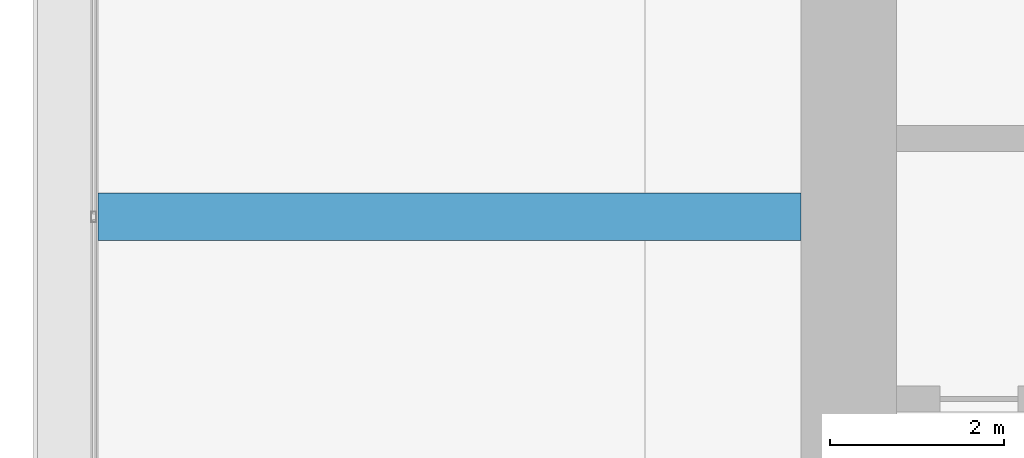
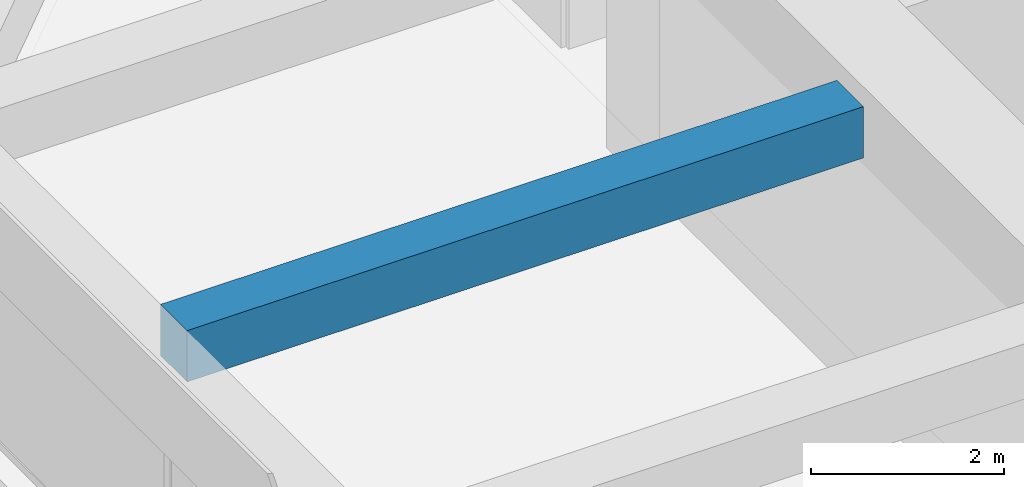
# One storey, part 17 of 45: 1 beam.
"""IFC4 building model written with IfcOpenShell, lengths in metres."""

from ifc_helpers import new_model, si_unit, direction, frame, origin, origin_2d, place, context, subcontext, project, spatial, rectangle, extrude, material, material_profile, profile_set, type_object, element, save


model = new_model("IFC4")

# Units and contexts
model_context = context("Model", 3, precision=1e-05, world=origin(), true_north=direction((0.0, 1.0)))
body_context = subcontext(model_context, "Body", "Model", "MODEL_VIEW")
ifc_project = project(units=[si_unit("LENGTHUNIT", "METRE"), si_unit("AREAUNIT", "SQUARE_METRE"), si_unit("VOLUMEUNIT", "CUBIC_METRE"), si_unit("PLANEANGLEUNIT", "RADIAN"), si_unit("MASSUNIT", "GRAM", prefix="KILO")], contexts=[model_context])

# Site, building, storey
site_placement = place(None, origin())
site = spatial("IfcSite", under=ifc_project, at=site_placement, CompositionType="ELEMENT")
building_placement = place(site_placement, origin())
building = spatial("IfcBuilding", under=site, at=building_placement, Name="Zorevar Civic Tower", CompositionType="ELEMENT")
storey_placement = place(building_placement, frame((0.0, 0.0, 279.39990234375)))
storey = spatial("IfcBuildingStorey", under=building, at=storey_placement, Name="L68", CompositionType="ELEMENT", Elevation=279.39990234375)

# Beam
ifc_material = material(Name="Concrete C50/60", Category="concrete")
ifc_material_profile = material_profile(ifc_material, rectangle(XDim=0.550048828125, YDim=0.64990234375, at=origin_2d()), Name="RC 550x650")
ifc_profile_set = profile_set([ifc_material_profile], Name="Concrete C50/60")
beam_type = type_object("IfcBeamType", Name="Beam RC 550x650", PredefinedType="BEAM", material=ifc_profile_set)
beam_placement = place(storey_placement, frame((9.35009765625, 31.5, 3.425048828125), z_axis=(1.0, 0.0, 0.0), x_axis=(0.0, 1.0, 0.0)))
element("IfcBeam", 1, at=beam_placement, inside=storey, type_object=beam_type, Name="Secondary beam L69", PredefinedType="BEAM", context=body_context, shape_type="SweptSolid", body=[
    extrude(rectangle(XDim=0.550048828125, YDim=0.64990234375, at=origin_2d()), origin(), (0.0, 0.0, 1.0), 8.099853515625),
])

save(model, "model.ifc")
